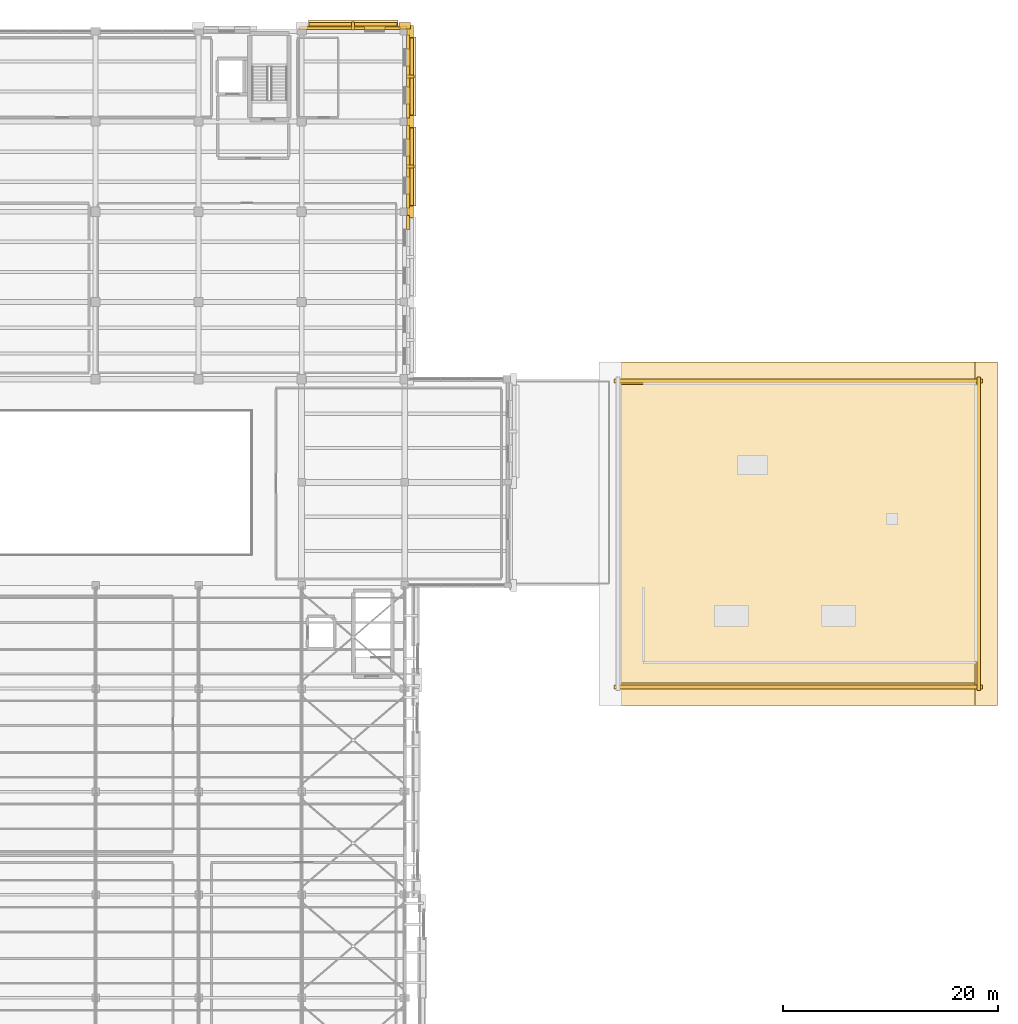
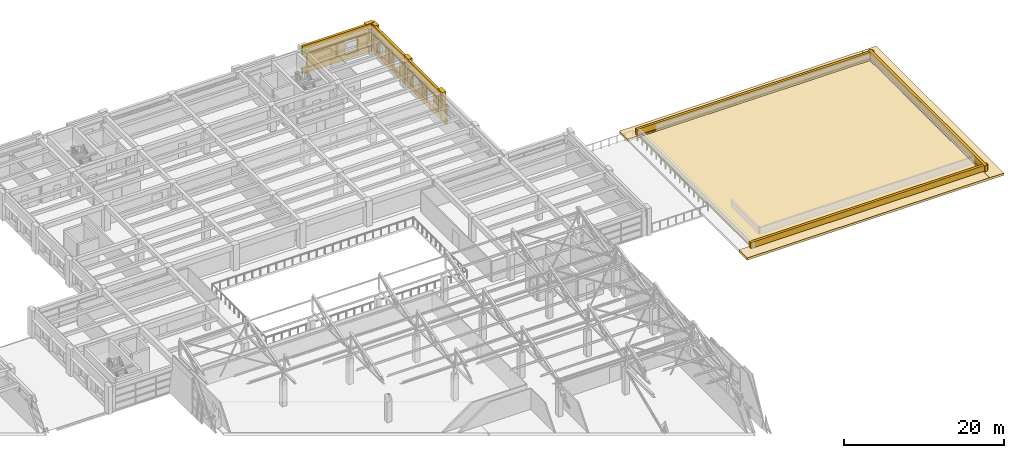
# One storey, part 71 of 71: 32 coverings, 3 shading devices.
"""IFC4 building model written with IfcOpenShell, lengths in metres."""

from ifc_helpers import new_model, si_unit, direction, frame, origin, origin_2d, place, context, subcontext, project, spatial, polyline, rectangle, outline, extrude, material, layer, layer_set, type_object, element, save


model = new_model("IFC4")

# Units and contexts
model_context = context("Model", 3, precision=1e-05, world=origin(), true_north=direction((0.0, 1.0)))
body_context = subcontext(model_context, "Body", "Model", "MODEL_VIEW")
ifc_project = project(units=[si_unit("LENGTHUNIT", "METRE"), si_unit("AREAUNIT", "SQUARE_METRE"), si_unit("VOLUMEUNIT", "CUBIC_METRE"), si_unit("PLANEANGLEUNIT", "RADIAN"), si_unit("MASSUNIT", "GRAM", prefix="KILO")], contexts=[model_context])

# Site, building, storey
site_placement = place(None, origin())
site = spatial("IfcSite", under=ifc_project, at=site_placement, CompositionType="ELEMENT")
building_placement = place(site_placement, origin())
building = spatial("IfcBuilding", under=site, at=building_placement, Name="Bempovik Park Faculty of Sciences", CompositionType="ELEMENT")
storey_placement = place(building_placement, frame((0.0, 0.0, 14.10009765625)))
storey = spatial("IfcBuildingStorey", under=building, at=storey_placement, Name="L03", CompositionType="ELEMENT", Elevation=14.10009765625)

# Coverings
ifc_material_1 = material(Name="Precast concrete C40/50", Category="concrete")
ifc_layer_1 = layer(ifc_material_1, 0.179931640625)
ifc_layer_set_1 = layer_set([ifc_layer_1], Name="Precast concrete C40/50")
covering_type_1 = type_object("IfcCoveringType", Name="CL-02 Classical Cornice Band 180mm", PredefinedType="CLADDING", material=ifc_layer_set_1)
covering_1_placement = place(storey_placement, frame((112.800048828125, 120.0, 2.85986328125), z_axis=(0.0, 0.0, 1.0), x_axis=(1.0, 0.0, 0.0)))
element("IfcCovering", 1, at=covering_1_placement, inside=storey, type_object=covering_type_1, Name="L03 Classical Stone Solar Window Hood EW-L03-8565", PredefinedType="CLADDING", context=body_context, shape_type="SweptSolid", body=[
    extrude(rectangle(XDim=8.345947265625, YDim=0.919921875, at=origin_2d()), origin(), (0.0, 0.0, 1.0), 0.219970703125),
])
for number, where, z_axis, x_axis, name in (
    (2, (118.199951171875, 106.800048828125, 2.81005859375), (0.0, 0.0, 1.0), (1.0, 0.0, 0.0), "L03 Classical Stone Solar Window Hood EW-L03-8600"),
    (3, (118.199951171875, 115.199951171875, 2.81005859375), (0.0, 0.0, 1.0), (1.0, 0.0, 0.0), "L03 Classical Stone Solar Window Hood EW-L03-8612"),
):
    element("IfcCovering", number, at=place(storey_placement, frame(where, z_axis=z_axis, x_axis=x_axis)), inside=storey, type_object=covering_type_1, Name=name, PredefinedType="CLADDING", context=body_context, shape_type="SweptSolid", body=[
        extrude(rectangle(XDim=0.919921875, YDim=7.345947265625, at=origin_2d()), origin(), (0.0, 0.0, 1.0), 0.219970703125),
    ])
for number, where, z_axis, x_axis, name in (
    (4, (154.25, 57.64990234375, -0.0703125), (0.0, 0.0, 1.0), (1.0, 0.0, 0.0), "Classical Deep Overhanging Stone Eave V3MN-S"),
    (5, (154.25, 87.550048828125, -0.0703125), (0.0, 0.0, 1.0), (1.0, 0.0, 0.0), "Classical Deep Overhanging Stone Eave V3MN-N"),
):
    element("IfcCovering", number, at=place(storey_placement, frame(where, z_axis=z_axis, x_axis=x_axis)), inside=storey, type_object=covering_type_1, Name=name, PredefinedType="CLADDING", context=body_context, shape_type="SweptSolid", body=[
        extrude(rectangle(XDim=37.10009765625, YDim=2.10009765625, at=origin_2d()), origin(), (0.0, 0.0, 1.0), 0.340087890625),
    ])
covering_2_placement = place(storey_placement, frame((171.75, 72.60009765625, -0.0703125), z_axis=(0.0, 0.0, 1.0), x_axis=(1.0, 0.0, 0.0)))
element("IfcCovering", 6, at=covering_2_placement, inside=storey, type_object=covering_type_1, Name="Classical Deep Overhanging Stone Eave V3MN-E", PredefinedType="CLADDING", context=body_context, shape_type="SweptSolid", body=[
    extrude(rectangle(XDim=2.10009765625, YDim=32.0, at=origin_2d()), origin(), (0.0, 0.0, 1.0), 0.340087890625),
])
ifc_material_2 = material(Name="White reconstituted limestone precast C40/50", Category="masonry")
ifc_layer_2 = layer(ifc_material_2, 0.239990234375)
ifc_layer_set_2 = layer_set([ifc_layer_2], Name="White reconstituted limestone precast C40/50")
covering_type_2 = type_object("IfcCoveringType", Name="CL-03 Classical Fluted Limestone Pilaster 240mm", PredefinedType="CLADDING", material=ifc_layer_set_2)
covering_3_placement = place(storey_placement, frame((112.800048828125, 119.7099609375, 2.919921875), z_axis=(0.0, 0.0, 1.0), x_axis=(1.0, 0.0, 0.0)))
element("IfcCovering", 7, at=covering_3_placement, inside=storey, type_object=covering_type_2, Name="L03 Classical Limestone Spandrel Entablature EW-L03-8565", PredefinedType="CLADDING", context=body_context, shape_type="SweptSolid", body=[
    extrude(rectangle(XDim=10.0458984375, YDim=0.340087890625, at=origin_2d()), origin(), (0.0, 0.0, 1.0), 1.280029296875),
])
covering_4_placement = place(storey_placement, frame((112.800048828125, 119.7099609375, 0.0), z_axis=(0.0, 0.0, 1.0), x_axis=(1.0, 0.0, 0.0)))
element("IfcCovering", 8, at=covering_4_placement, inside=storey, type_object=covering_type_2, Name="L03 Classical Limestone Sill Dado EW-L03-8565", PredefinedType="CLADDING", context=body_context, shape_type="SweptSolid", body=[
    extrude(rectangle(XDim=10.0458984375, YDim=0.340087890625, at=origin_2d()), origin(), (0.0, 0.0, 1.0), 0.780029296875),
])
covering_5_placement = place(storey_placement, frame((117.60009765625, 119.929931640625, 0.0), z_axis=(0.0, 0.0, 1.0), x_axis=(1.0, 0.0, 0.0)))
element("IfcCovering", 9, at=covering_5_placement, inside=storey, type_object=covering_type_2, Name="L03 Classical Fluted Stone Pilaster PIL-BA-L03-1176-1199", PredefinedType="CLADDING", context=body_context, shape_type="SweptSolid", body=[
    extrude(rectangle(XDim=1.10009765625, YDim=0.580078125, at=origin_2d()), origin(), (0.0, 0.0, 1.0), 4.199951171875),
])
covering_6_placement = place(storey_placement, frame((111.156005859375, 119.699951171875, -0.000244140625), z_axis=(0.0, 0.0, 1.0), x_axis=(1.0, 0.0, 0.0)))
element("IfcCovering", 10, at=covering_6_placement, inside=storey, type_object=covering_type_2, Name="L03 White Limestone Wall Cheek EW-L03-8565-0", PredefinedType="CLADDING", context=body_context, shape_type="SweptSolid", body=[
    extrude(rectangle(XDim=5.408203125, YDim=0.239990234375, at=origin_2d()), origin(), (0.0, 0.0, 1.0), 3.080078125),
])
covering_7_placement = place(storey_placement, frame((116.444091796875, 119.699951171875, -0.000244140625), z_axis=(0.0, 0.0, 1.0), x_axis=(1.0, 0.0, 0.0)))
element("IfcCovering", 11, at=covering_7_placement, inside=storey, type_object=covering_type_2, Name="L03 White Limestone Wall Cheek EW-L03-8565-2", PredefinedType="CLADDING", context=body_context, shape_type="SweptSolid", body=[
    extrude(rectangle(XDim=1.407958984375, YDim=0.239990234375, at=origin_2d()), origin(), (0.0, 0.0, 1.0), 3.080078125),
])
covering_8_placement = place(storey_placement, frame((112.800048828125, 119.909912109375, 0.69970703125), z_axis=(0.0, 0.0, 1.0), x_axis=(1.0, 0.0, 0.0)))
element("IfcCovering", 12, at=covering_8_placement, inside=storey, type_object=covering_type_2, Name="L03 Classical Vertical Stone Shading Fin EW-L03-8565", PredefinedType="CLADDING", context=body_context, shape_type="SweptSolid", body=[
    extrude(rectangle(XDim=0.280029296875, YDim=0.719970703125, at=origin_2d()), origin(), (0.0, 0.0, 1.0), 2.199951171875),
])
covering_9_placement = place(storey_placement, frame((118.1298828125, 102.60009765625, 0.0), z_axis=(0.0, 0.0, 1.0), x_axis=(1.0, 0.0, 0.0)))
element("IfcCovering", 13, at=covering_9_placement, inside=storey, type_object=covering_type_2, Name="L03 Classical Fluted Stone Pilaster PIL-BA-L03-1181-1026", PredefinedType="CLADDING", context=body_context, shape_type="SweptSolid", body=[
    extrude(rectangle(XDim=0.580078125, YDim=1.10009765625, at=origin_2d()), origin(), (0.0, 0.0, 1.0), 4.199951171875),
])
covering_10_placement = place(storey_placement, frame((117.89990234375, 101.60400390625, -0.000244140625), z_axis=(0.0, 0.0, 1.0), x_axis=(1.0, 0.0, 0.0)))
element("IfcCovering", 14, at=covering_10_placement, inside=storey, type_object=covering_type_2, Name="L03 White Limestone Wall Cheek EW-L03-8588-4", PredefinedType="CLADDING", context=body_context, shape_type="SweptSolid", body=[
    extrude(rectangle(XDim=0.239990234375, YDim=1.287841796875, at=origin_2d()), origin(), (0.0, 0.0, 1.0), 3.080078125),
])
covering_11_placement = place(storey_placement, frame((117.909912109375, 106.800048828125, 2.919921875), z_axis=(0.0, 0.0, 1.0), x_axis=(1.0, 0.0, 0.0)))
element("IfcCovering", 15, at=covering_11_placement, inside=storey, type_object=covering_type_2, Name="L03 Classical Limestone Spandrel Entablature EW-L03-8600", PredefinedType="CLADDING", context=body_context, shape_type="SweptSolid", body=[
    extrude(rectangle(XDim=0.340087890625, YDim=9.0458984375, at=origin_2d()), origin(), (0.0, 0.0, 1.0), 1.280029296875),
])
covering_12_placement = place(storey_placement, frame((117.909912109375, 106.800048828125, 0.0), z_axis=(0.0, 0.0, 1.0), x_axis=(1.0, 0.0, 0.0)))
element("IfcCovering", 16, at=covering_12_placement, inside=storey, type_object=covering_type_2, Name="L03 Classical Limestone Sill Dado EW-L03-8600", PredefinedType="CLADDING", context=body_context, shape_type="SweptSolid", body=[
    extrude(rectangle(XDim=0.340087890625, YDim=9.0458984375, at=origin_2d()), origin(), (0.0, 0.0, 1.0), 0.780029296875),
])
covering_13_placement = place(storey_placement, frame((118.1298828125, 111.0, 0.0), z_axis=(0.0, 0.0, 1.0), x_axis=(1.0, 0.0, 0.0)))
element("IfcCovering", 17, at=covering_13_placement, inside=storey, type_object=covering_type_2, Name="L03 Classical Fluted Stone Pilaster PIL-BA-L03-1181-1110", PredefinedType="CLADDING", context=body_context, shape_type="SweptSolid", body=[
    extrude(rectangle(XDim=0.580078125, YDim=1.10009765625, at=origin_2d()), origin(), (0.0, 0.0, 1.0), 4.199951171875),
])
covering_14_placement = place(storey_placement, frame((117.89990234375, 103.595947265625, -0.000244140625), z_axis=(0.0, 0.0, 1.0), x_axis=(1.0, 0.0, 0.0)))
element("IfcCovering", 18, at=covering_14_placement, inside=storey, type_object=covering_type_2, Name="L03 White Limestone Wall Cheek EW-L03-8600-0", PredefinedType="CLADDING", context=body_context, shape_type="SweptSolid", body=[
    extrude(rectangle(XDim=0.239990234375, YDim=1.287841796875, at=origin_2d()), origin(), (0.0, 0.0, 1.0), 3.080078125),
])
covering_15_placement = place(storey_placement, frame((117.89990234375, 106.800048828125, -0.000244140625), z_axis=(0.0, 0.0, 1.0), x_axis=(1.0, 0.0, 0.0)))
element("IfcCovering", 19, at=covering_15_placement, inside=storey, type_object=covering_type_2, Name="L03 White Limestone Wall Cheek EW-L03-8600-2", PredefinedType="CLADDING", context=body_context, shape_type="SweptSolid", body=[
    extrude(rectangle(XDim=0.239990234375, YDim=1.960205078125, at=origin_2d()), origin(), (0.0, 0.0, 1.0), 3.080078125),
])
covering_16_placement = place(storey_placement, frame((117.89990234375, 110.00390625, -0.000244140625), z_axis=(0.0, 0.0, 1.0), x_axis=(1.0, 0.0, 0.0)))
element("IfcCovering", 20, at=covering_16_placement, inside=storey, type_object=covering_type_2, Name="L03 White Limestone Wall Cheek EW-L03-8600-4", PredefinedType="CLADDING", context=body_context, shape_type="SweptSolid", body=[
    extrude(rectangle(XDim=0.239990234375, YDim=1.287841796875, at=origin_2d()), origin(), (0.0, 0.0, 1.0), 3.080078125),
])
covering_17_placement = place(storey_placement, frame((118.110107421875, 106.800048828125, 0.699951171875), z_axis=(0.0, 0.0, 1.0), x_axis=(1.0, 0.0, 0.0)))
element("IfcCovering", 21, at=covering_17_placement, inside=storey, type_object=covering_type_2, Name="L03 Classical Vertical Stone Shading Fin EW-L03-8600", PredefinedType="CLADDING", context=body_context, shape_type="SweptSolid", body=[
    extrude(rectangle(XDim=0.719970703125, YDim=0.280029296875, at=origin_2d()), origin(), (0.0, 0.0, 1.0), 2.14990234375),
])
covering_18_placement = place(storey_placement, frame((117.909912109375, 115.199951171875, 2.919921875), z_axis=(0.0, 0.0, 1.0), x_axis=(1.0, 0.0, 0.0)))
element("IfcCovering", 22, at=covering_18_placement, inside=storey, type_object=covering_type_2, Name="L03 Classical Limestone Spandrel Entablature EW-L03-8612", PredefinedType="CLADDING", context=body_context, shape_type="SweptSolid", body=[
    extrude(rectangle(XDim=0.340087890625, YDim=9.0458984375, at=origin_2d()), origin(), (0.0, 0.0, 1.0), 1.280029296875),
])
covering_19_placement = place(storey_placement, frame((117.909912109375, 115.199951171875, 0.0), z_axis=(0.0, 0.0, 1.0), x_axis=(1.0, 0.0, 0.0)))
element("IfcCovering", 23, at=covering_19_placement, inside=storey, type_object=covering_type_2, Name="L03 Classical Limestone Sill Dado EW-L03-8612", PredefinedType="CLADDING", context=body_context, shape_type="SweptSolid", body=[
    extrude(rectangle(XDim=0.340087890625, YDim=9.0458984375, at=origin_2d()), origin(), (0.0, 0.0, 1.0), 0.780029296875),
])
covering_20_placement = place(storey_placement, frame((118.1298828125, 119.39990234375, 0.0), z_axis=(0.0, 0.0, 1.0), x_axis=(1.0, 0.0, 0.0)))
element("IfcCovering", 24, at=covering_20_placement, inside=storey, type_object=covering_type_2, Name="L03 Classical Fluted Stone Pilaster PIL-BA-L03-1181-1194", PredefinedType="CLADDING", context=body_context, shape_type="SweptSolid", body=[
    extrude(rectangle(XDim=0.580078125, YDim=1.10009765625, at=origin_2d()), origin(), (0.0, 0.0, 1.0), 4.199951171875),
])
covering_21_placement = place(storey_placement, frame((117.89990234375, 111.99609375, -0.000244140625), z_axis=(0.0, 0.0, 1.0), x_axis=(1.0, 0.0, 0.0)))
element("IfcCovering", 25, at=covering_21_placement, inside=storey, type_object=covering_type_2, Name="L03 White Limestone Wall Cheek EW-L03-8612-0", PredefinedType="CLADDING", context=body_context, shape_type="SweptSolid", body=[
    extrude(rectangle(XDim=0.239990234375, YDim=1.287841796875, at=origin_2d()), origin(), (0.0, 0.0, 1.0), 3.080078125),
])
covering_22_placement = place(storey_placement, frame((117.89990234375, 115.199951171875, -0.000244140625), z_axis=(0.0, 0.0, 1.0), x_axis=(1.0, 0.0, 0.0)))
element("IfcCovering", 26, at=covering_22_placement, inside=storey, type_object=covering_type_2, Name="L03 White Limestone Wall Cheek EW-L03-8612-2", PredefinedType="CLADDING", context=body_context, shape_type="SweptSolid", body=[
    extrude(rectangle(XDim=0.239990234375, YDim=1.960205078125, at=origin_2d()), origin(), (0.0, 0.0, 1.0), 3.080078125),
])
covering_23_placement = place(storey_placement, frame((117.89990234375, 118.404052734375, -0.000244140625), z_axis=(0.0, 0.0, 1.0), x_axis=(1.0, 0.0, 0.0)))
element("IfcCovering", 27, at=covering_23_placement, inside=storey, type_object=covering_type_2, Name="L03 White Limestone Wall Cheek EW-L03-8612-4", PredefinedType="CLADDING", context=body_context, shape_type="SweptSolid", body=[
    extrude(rectangle(XDim=0.239990234375, YDim=1.287841796875, at=origin_2d()), origin(), (0.0, 0.0, 1.0), 3.080078125),
])
covering_24_placement = place(storey_placement, frame((118.110107421875, 115.199951171875, 0.699951171875), z_axis=(0.0, 0.0, 1.0), x_axis=(1.0, 0.0, 0.0)))
element("IfcCovering", 28, at=covering_24_placement, inside=storey, type_object=covering_type_2, Name="L03 Classical Vertical Stone Shading Fin EW-L03-8612", PredefinedType="CLADDING", context=body_context, shape_type="SweptSolid", body=[
    extrude(rectangle(XDim=0.719970703125, YDim=0.280029296875, at=origin_2d()), origin(), (0.0, 0.0, 1.0), 2.14990234375),
])
for number, where, z_axis, x_axis, name in (
    (29, (154.25, 58.35009765625, 0.10498046875), (0.0, 0.0, 1.0), (1.0, 0.0, 0.0), "White Limestone Attic Fascia V3MN-S"),
    (30, (154.25, 86.85009765625, 0.10498046875), (0.0, 0.0, 1.0), (1.0, 0.0, 0.0), "White Limestone Attic Fascia V3MN-N"),
):
    element("IfcCovering", number, at=place(storey_placement, frame(where, z_axis=z_axis, x_axis=x_axis)), inside=storey, type_object=covering_type_2, Name=name, PredefinedType="CLADDING", context=body_context, shape_type="SweptSolid", body=[
        extrude(rectangle(XDim=34.300048828125, YDim=0.360107421875, at=origin_2d()), origin(), (0.0, 0.0, 1.0), 1.050048828125),
    ])
covering_25_placement = place(storey_placement, frame((171.050048828125, 72.60009765625, 0.10498046875), z_axis=(0.0, 0.0, 1.0), x_axis=(1.0, 0.0, 0.0)))
element("IfcCovering", 31, at=covering_25_placement, inside=storey, type_object=covering_type_2, Name="White Limestone Attic Fascia V3MN-E", PredefinedType="CLADDING", context=body_context, shape_type="SweptSolid", body=[
    extrude(rectangle(XDim=0.360107421875, YDim=29.199951171875, at=origin_2d()), origin(), (0.0, 0.0, 1.0), 1.050048828125),
])
ifc_material_3 = material(Name="Insulated cool-roof membrane")
ifc_layer_3 = layer(ifc_material_3, 0.06005859375)
ifc_layer_set_3 = layer_set([ifc_layer_3], Name="Insulated cool-roof membrane")
covering_type_3 = type_object("IfcCoveringType", Name="RF-01 Cool Roof Membrane 60mm", PredefinedType="ROOFING", material=ifc_layer_set_3)
covering_26_placement = place(storey_placement, origin())
element("IfcCovering", 32, at=covering_26_placement, inside=storey, type_object=covering_type_3, Name="Cool-Roof Membrane RF-V3-MAIN", PredefinedType="ROOFING", context=body_context, shape_type="SweptSolid", body=[
    extrude(outline(polyline([(137.550048828125, 58.449951171875), (170.949951171875, 58.449951171875), (170.949951171875, 86.75), (137.550048828125, 86.75), (137.550048828125, 58.449951171875)])), origin(), (0.0, 0.0, 1.0), 0.059814453125),
])

# Shading devices
ifc_material_4 = material(Name="Anodised architectural bronze")
ifc_layer_4 = layer(ifc_material_4, 0.06005859375)
ifc_layer_set_4 = layer_set([ifc_layer_4], Name="Anodised architectural bronze")
shading_device_type = type_object("IfcShadingDeviceType", Name="SH-01 Bronze Brise-Soleil Fin", PredefinedType="USERDEFINED", material=ifc_layer_set_4)
shading_device_placement = place(storey_placement, frame((112.800048828125, 119.8798828125, 2.7998046875), z_axis=(0.0, 0.0, 1.0), x_axis=(1.0, 0.0, 0.0)))
element("IfcShadingDevice", 33, at=shading_device_placement, inside=storey, type_object=shading_device_type, Name="L03 Equatorial Bronze Brise-Soleil EW-L03-8565", ObjectType="BRISE SOLEIL", PredefinedType="USERDEFINED", context=body_context, shape_type="SweptSolid", body=[
    extrude(rectangle(XDim=8.196044921875, YDim=0.64990234375, at=origin_2d()), origin(), (0.0, 0.0, 1.0), 0.06005859375),
])
for number, where, z_axis, x_axis, name in (
    (34, (118.080078125, 106.800048828125, 2.749755859375), (0.0, 0.0, 1.0), (1.0, 0.0, 0.0), "L03 Equatorial Bronze Brise-Soleil EW-L03-8600"),
    (35, (118.080078125, 115.199951171875, 2.749755859375), (0.0, 0.0, 1.0), (1.0, 0.0, 0.0), "L03 Equatorial Bronze Brise-Soleil EW-L03-8612"),
):
    element("IfcShadingDevice", number, at=place(storey_placement, frame(where, z_axis=z_axis, x_axis=x_axis)), inside=storey, type_object=shading_device_type, Name=name, ObjectType="BRISE SOLEIL", PredefinedType="USERDEFINED", context=body_context, shape_type="SweptSolid", body=[
        extrude(rectangle(XDim=0.64990234375, YDim=7.196044921875, at=origin_2d()), origin(), (0.0, 0.0, 1.0), 0.06005859375),
    ])

save(model, "model.ifc")
